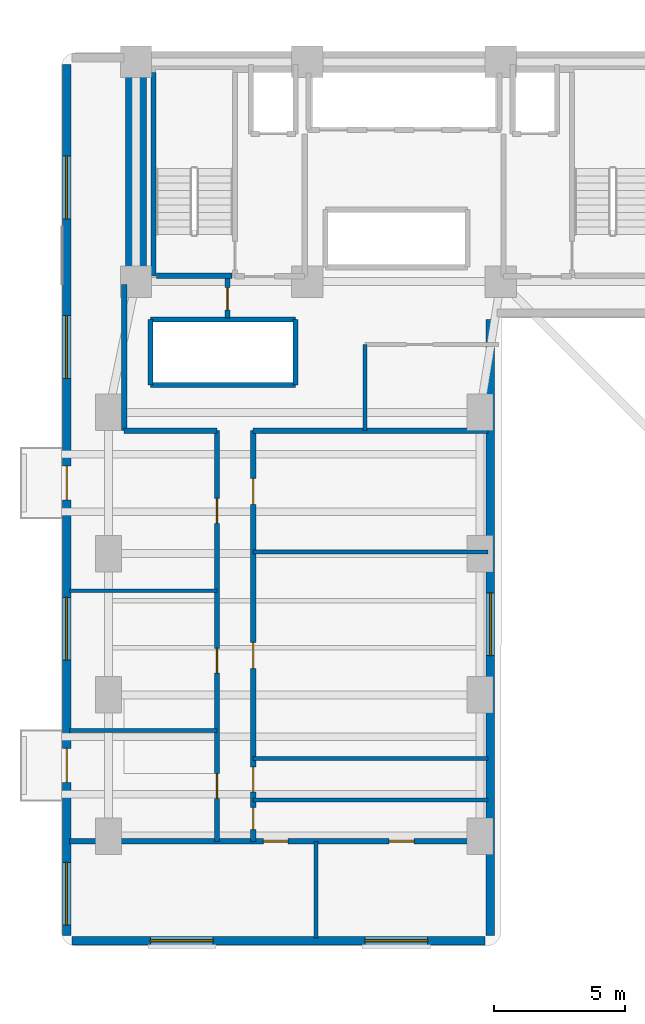
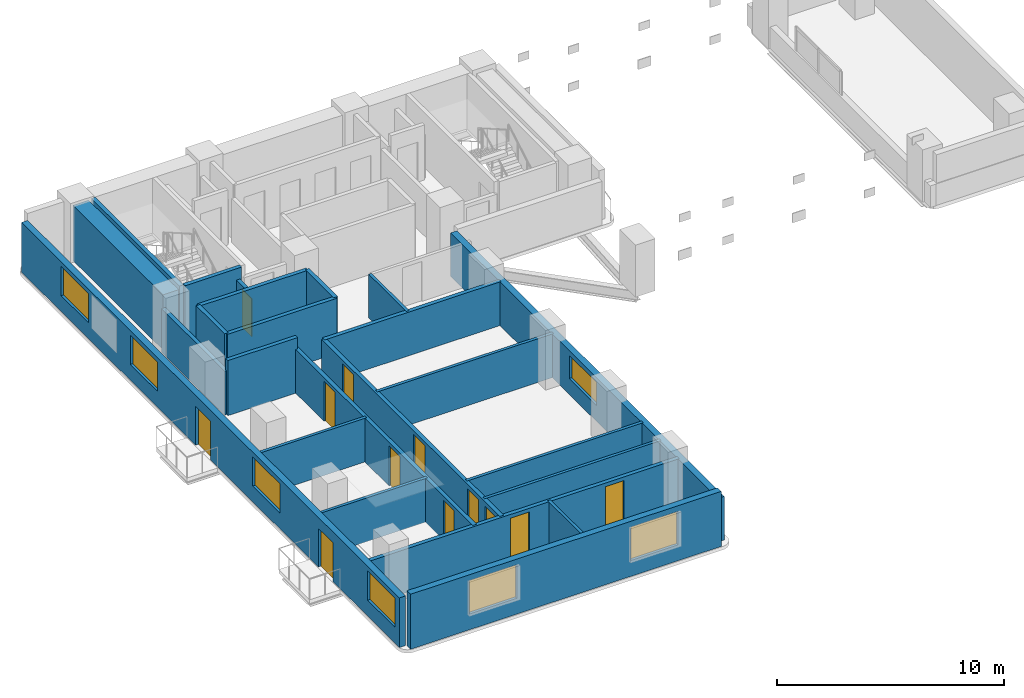
# One storey, part 8 of 14: 24 walls, 12 doors, 7 windows, 19 openings.
"""IFC4 building model written with IfcOpenShell, lengths in metres."""

from ifc_helpers import new_model, si_unit, direction, frame, frame_2d, origin, place, context, subcontext, project, spatial, rectangle, extrude, material, layer, layer_set, type_object, element, fill, save


model = new_model("IFC4")

# Units and contexts
model_context = context("Model", 3, precision=1e-05, world=origin(), true_north=direction((0.0, 1.0)))
body_context = subcontext(model_context, "Body", "Model", "MODEL_VIEW")
ifc_project = project(units=[si_unit("LENGTHUNIT", "METRE"), si_unit("AREAUNIT", "SQUARE_METRE"), si_unit("VOLUMEUNIT", "CUBIC_METRE"), si_unit("PLANEANGLEUNIT", "RADIAN"), si_unit("MASSUNIT", "GRAM", prefix="KILO")], contexts=[model_context])

# Site, building, storey
site_placement = place(None, origin())
site = spatial("IfcSite", under=ifc_project, at=site_placement, CompositionType="ELEMENT")
building_placement = place(site_placement, origin())
building = spatial("IfcBuilding", under=site, at=building_placement, Name="Kuzgunbayir Cultural Tower", CompositionType="ELEMENT")
storey_placement = place(building_placement, frame((0.0, 0.0, 36.60009765625)))
storey = spatial("IfcBuildingStorey", under=building, at=storey_placement, Name="L09", CompositionType="ELEMENT", Elevation=36.60009765625)

# Wall
ifc_material_1 = material(Name="Concrete C60/75", Category="concrete")
ifc_layer_1 = layer(ifc_material_1, 0.800048828125)
ifc_layer_set_1 = layer_set([ifc_layer_1], Name="Concrete C60/75")
wall_type_1 = type_object("IfcWallType", Name="WAL-CORE-800", PredefinedType="SHEAR", material=ifc_layer_set_1)
wall_1_placement = place(storey_placement, frame((6.449951171875, 33.800048828125, 0.0), z_axis=(0.0, 0.0, 1.0), x_axis=(0.0, 1.0, 0.0)))
element("IfcWall", 1, at=wall_1_placement, inside=storey, type_object=wall_type_1, Name="L09 T1 Core West Shear Wall", PredefinedType="SHEAR", context=body_context, shape_type="SweptSolid", body=[
    extrude(rectangle(XDim=7.949951171875, YDim=0.800048828125, at=frame_2d((3.97509765625, 0.0))), origin(), (0.0, 0.0, 1.0), 2.9599609375),
])

# Wall, openings, windows
ifc_material_2 = material(Name="Travertine Buff Ashlar", Category="masonry")
ifc_layer_2 = layer(ifc_material_2, 0.320068359375)
ifc_layer_set_2 = layer_set([ifc_layer_2], Name="Travertine Buff Ashlar")
wall_type_2 = type_object("IfcWallType", Name="WAL-EXT-STONE-320", PredefinedType="STANDARD", material=ifc_layer_set_2)
wall_2_placement = place(storey_placement, frame((4.0, 8.60009765625, 0.0), z_axis=(0.0, 0.0, 1.0), x_axis=(1.0, 0.0, 0.0)))
wall_2 = element("IfcWall", 2, at=wall_2_placement, inside=storey, type_object=wall_type_2, Name="L09 Wing A South Limestone Wall", PredefinedType="STANDARD", context=body_context, shape_type="SweptSolid", body=[
    extrude(rectangle(XDim=15.800048828125, YDim=0.320068359375, at=frame_2d((7.89990234375, 0.0))), origin(), (0.0, 0.0, 1.0), 2.9599609375),
])
opening_1_placement = place(wall_2_placement, frame((3.0, 0.0, 0.85009765625)))
opening_1 = element("IfcOpeningElement", 3, at=opening_1_placement, cuts=wall_2, Name="Opening WO-24", PredefinedType="OPENING", context=body_context, shape_type="SweptSolid", body=[
    extrude(rectangle(XDim=2.39990234375, YDim=1.800048828125, at=frame_2d((1.199951171875, 0.89990234375))), frame((0.0, 0.169921875, 0.0), z_axis=(0.0, -1.0, 0.0), x_axis=(1.0, 0.0, 0.0)), (0.0, 0.0, 1.0), 0.340087890625),
])
opening_2_placement = place(wall_2_placement, frame((11.199951171875, 0.0, 0.85009765625)))
opening_2 = element("IfcOpeningElement", 4, at=opening_2_placement, cuts=wall_2, Name="Opening WO-24", PredefinedType="OPENING", context=body_context, shape_type="SweptSolid", body=[
    extrude(rectangle(XDim=2.39990234375, YDim=1.800048828125, at=frame_2d((1.199951171875, 0.89990234375))), frame((0.0, 0.169921875, 0.0), z_axis=(0.0, -1.0, 0.0), x_axis=(1.0, 0.0, 0.0)), (0.0, 0.0, 1.0), 0.340087890625),
])
ifc_material_3 = material(Name="Solar-Control Triple Glazing", Category="glass")
window_type = type_object("IfcWindowType", Name="WIN-OFFICE-24", PartitioningType="SINGLE_PANEL", PredefinedType="WINDOW", material=ifc_material_3)
window_1_placement = place(opening_1_placement, origin())
window_1 = element("IfcWindow", 5, at=window_1_placement, inside=storey, type_object=window_type, Name="L09 WAS Facade Window 6", OverallHeight=1.800048828125, OverallWidth=2.39990234375, PartitioningType="SINGLE_PANEL", PredefinedType="WINDOW", context=body_context, shape_type="SweptSolid", body=[
    extrude(rectangle(XDim=2.39990234375, YDim=1.800048828125, at=frame_2d((1.199951171875, 0.89990234375))), frame((0.0, 0.030029296875, 0.0), z_axis=(0.0, -1.0, 0.0), x_axis=(1.0, 0.0, 0.0)), (0.0, 0.0, 1.0), 0.06005859375),
])
fill(opening_1, window_1)
window_2_placement = place(opening_2_placement, origin())
window_2 = element("IfcWindow", 6, at=window_2_placement, inside=storey, type_object=window_type, Name="L09 WAS Facade Window 7", OverallHeight=1.800048828125, OverallWidth=2.39990234375, PartitioningType="SINGLE_PANEL", PredefinedType="WINDOW", context=body_context, shape_type="SweptSolid", body=[
    extrude(rectangle(XDim=2.39990234375, YDim=1.800048828125, at=frame_2d((1.199951171875, 0.89990234375))), frame((0.0, 0.030029296875, 0.0), z_axis=(0.0, -1.0, 0.0), x_axis=(1.0, 0.0, 0.0)), (0.0, 0.0, 1.0), 0.06005859375),
])
fill(opening_2, window_2)

# Wall, openings, doors, windows
wall_3_placement = place(storey_placement, frame((3.800048828125, 42.10009765625, 0.0), z_axis=(0.0, 0.0, 1.0), x_axis=(0.0, -1.0, 0.0)))
wall_3 = element("IfcWall", 7, at=wall_3_placement, inside=storey, type_object=wall_type_2, Name="L09 Wing A West Limestone Wall", PredefinedType="STANDARD", context=body_context, shape_type="SweptSolid", body=[
    extrude(rectangle(XDim=33.300048828125, YDim=0.320068359375, at=frame_2d((16.64990234375, 0.0))), origin(), (0.0, 0.0, 1.0), 2.669921875),
])
opening_3_placement = place(wall_3_placement, frame((26.14990234375, 0.0, 0.0)))
opening_3 = element("IfcOpeningElement", 8, at=opening_3_placement, cuts=wall_3, Name="Opening BD-13", PredefinedType="OPENING", context=body_context, shape_type="SweptSolid", body=[
    extrude(rectangle(XDim=1.300048828125, YDim=2.080078125, at=frame_2d((0.64990234375, 1.0400390625))), frame((0.0, 0.169921875, 0.0), z_axis=(0.0, -1.0, 0.0), x_axis=(1.0, 0.0, 0.0)), (0.0, 0.0, 1.0), 0.340087890625),
])
opening_4_placement = place(wall_3_placement, frame((15.35009765625, 0.0, 0.0)))
opening_4 = element("IfcOpeningElement", 9, at=opening_4_placement, cuts=wall_3, Name="Opening BD-13", PredefinedType="OPENING", context=body_context, shape_type="SweptSolid", body=[
    extrude(rectangle(XDim=1.300048828125, YDim=2.080078125, at=frame_2d((0.64990234375, 1.0400390625))), frame((0.0, 0.169921875, 0.0), z_axis=(0.0, -1.0, 0.0), x_axis=(1.0, 0.0, 0.0)), (0.0, 0.0, 1.0), 0.340087890625),
])
opening_5_placement = place(wall_3_placement, frame((30.5, 0.0, 0.85009765625)))
opening_5 = element("IfcOpeningElement", 10, at=opening_5_placement, cuts=wall_3, Name="Opening WO-24", PredefinedType="OPENING", context=body_context, shape_type="SweptSolid", body=[
    extrude(rectangle(XDim=2.39990234375, YDim=1.570068359375, at=frame_2d((1.199951171875, 0.78515625))), frame((0.0, 0.169921875, 0.0), z_axis=(0.0, -1.0, 0.0), x_axis=(1.0, 0.0, 0.0)), (0.0, 0.0, 1.0), 0.340087890625),
])
opening_6_placement = place(wall_3_placement, frame((20.3701171875, 0.0, 0.85009765625)))
opening_6 = element("IfcOpeningElement", 11, at=opening_6_placement, cuts=wall_3, Name="Opening WO-24", PredefinedType="OPENING", context=body_context, shape_type="SweptSolid", body=[
    extrude(rectangle(XDim=2.39990234375, YDim=1.570068359375, at=frame_2d((1.199951171875, 0.78515625))), frame((0.0, 0.169921875, 0.0), z_axis=(0.0, -1.0, 0.0), x_axis=(1.0, 0.0, 0.0)), (0.0, 0.0, 1.0), 0.340087890625),
])
opening_7_placement = place(wall_3_placement, frame((9.60009765625, 0.0, 0.85009765625)))
opening_7 = element("IfcOpeningElement", 12, at=opening_7_placement, cuts=wall_3, Name="Opening WO-24", PredefinedType="OPENING", context=body_context, shape_type="SweptSolid", body=[
    extrude(rectangle(XDim=2.39990234375, YDim=1.570068359375, at=frame_2d((1.199951171875, 0.78515625))), frame((0.0, 0.169921875, 0.0), z_axis=(0.0, -1.0, 0.0), x_axis=(1.0, 0.0, 0.0)), (0.0, 0.0, 1.0), 0.340087890625),
])
opening_8_placement = place(wall_3_placement, frame((3.5, 0.0, 0.85009765625)))
opening_8 = element("IfcOpeningElement", 13, at=opening_8_placement, cuts=wall_3, Name="Opening WO-24", PredefinedType="OPENING", context=body_context, shape_type="SweptSolid", body=[
    extrude(rectangle(XDim=2.39990234375, YDim=1.570068359375, at=frame_2d((1.199951171875, 0.78515625))), frame((0.0, 0.169921875, 0.0), z_axis=(0.0, -1.0, 0.0), x_axis=(1.0, 0.0, 0.0)), (0.0, 0.0, 1.0), 0.340087890625),
])
ifc_material_4 = material(Name="Thermally Broken Glazed Aluminium", Category="aluminium")
door_type_1 = type_object("IfcDoorType", Name="DR-BALCONY-135", OperationType="SLIDING_TO_LEFT", PredefinedType="DOOR", material=ifc_material_4)
door_1_placement = place(opening_3_placement, origin())
door_1 = element("IfcDoor", 14, at=door_1_placement, inside=storey, type_object=door_type_1, Name="L09 West Balcony Sliding Door BAL-L09-WA1", OperationType="SLIDING_TO_LEFT", OverallHeight=2.080078125, OverallWidth=1.300048828125, PredefinedType="DOOR", context=body_context, shape_type="SweptSolid", body=[
    extrude(rectangle(XDim=1.300048828125, YDim=2.080078125, at=frame_2d((0.64990234375, 1.0400390625))), frame((0.0, 0.02490234375, 0.0), z_axis=(0.0, -1.0, 0.0), x_axis=(1.0, 0.0, 0.0)), (0.0, 0.0, 1.0), 0.050048828125),
])
fill(opening_3, door_1)
door_2_placement = place(opening_4_placement, origin())
door_2 = element("IfcDoor", 15, at=door_2_placement, inside=storey, type_object=door_type_1, Name="L09 West Balcony Sliding Door BAL-L09-WA3", OperationType="SLIDING_TO_LEFT", OverallHeight=2.080078125, OverallWidth=1.300048828125, PredefinedType="DOOR", context=body_context, shape_type="SweptSolid", body=[
    extrude(rectangle(XDim=1.300048828125, YDim=2.080078125, at=frame_2d((0.64990234375, 1.0400390625))), frame((0.0, 0.02490234375, 0.0), z_axis=(0.0, -1.0, 0.0), x_axis=(1.0, 0.0, 0.0)), (0.0, 0.0, 1.0), 0.050048828125),
])
fill(opening_4, door_2)
window_3_placement = place(opening_5_placement, origin())
window_3 = element("IfcWindow", 16, at=window_3_placement, inside=storey, type_object=window_type, Name="L09 WAW Facade Window 1", OverallHeight=1.570068359375, OverallWidth=2.39990234375, PartitioningType="SINGLE_PANEL", PredefinedType="WINDOW", context=body_context, shape_type="SweptSolid", body=[
    extrude(rectangle(XDim=2.39990234375, YDim=1.570068359375, at=frame_2d((1.199951171875, 0.78515625))), frame((0.0, 0.030029296875, 0.0), z_axis=(0.0, -1.0, 0.0), x_axis=(1.0, 0.0, 0.0)), (0.0, 0.0, 1.0), 0.06005859375),
])
fill(opening_5, window_3)
window_4_placement = place(opening_6_placement, origin())
window_4 = element("IfcWindow", 17, at=window_4_placement, inside=storey, type_object=window_type, Name="L09 WAW Facade Window 2", OverallHeight=1.570068359375, OverallWidth=2.39990234375, PartitioningType="SINGLE_PANEL", PredefinedType="WINDOW", context=body_context, shape_type="SweptSolid", body=[
    extrude(rectangle(XDim=2.39990234375, YDim=1.570068359375, at=frame_2d((1.199951171875, 0.78515625))), frame((0.0, 0.030029296875, 0.0), z_axis=(0.0, -1.0, 0.0), x_axis=(1.0, 0.0, 0.0)), (0.0, 0.0, 1.0), 0.06005859375),
])
fill(opening_6, window_4)
window_5_placement = place(opening_7_placement, origin())
window_5 = element("IfcWindow", 18, at=window_5_placement, inside=storey, type_object=window_type, Name="L09 WAW Facade Window 3", OverallHeight=1.570068359375, OverallWidth=2.39990234375, PartitioningType="SINGLE_PANEL", PredefinedType="WINDOW", context=body_context, shape_type="SweptSolid", body=[
    extrude(rectangle(XDim=2.39990234375, YDim=1.570068359375, at=frame_2d((1.199951171875, 0.78515625))), frame((0.0, 0.030029296875, 0.0), z_axis=(0.0, -1.0, 0.0), x_axis=(1.0, 0.0, 0.0)), (0.0, 0.0, 1.0), 0.06005859375),
])
fill(opening_7, window_5)
window_6_placement = place(opening_8_placement, origin())
window_6 = element("IfcWindow", 19, at=window_6_placement, inside=storey, type_object=window_type, Name="L09 WAW Facade Window 4", OverallHeight=1.570068359375, OverallWidth=2.39990234375, PartitioningType="SINGLE_PANEL", PredefinedType="WINDOW", context=body_context, shape_type="SweptSolid", body=[
    extrude(rectangle(XDim=2.39990234375, YDim=1.570068359375, at=frame_2d((1.199951171875, 0.78515625))), frame((0.0, 0.030029296875, 0.0), z_axis=(0.0, -1.0, 0.0), x_axis=(1.0, 0.0, 0.0)), (0.0, 0.0, 1.0), 0.06005859375),
])
fill(opening_8, window_6)

# Wall, opening, window
wall_4_placement = place(storey_placement, frame((20.0, 8.800048828125, 0.0), z_axis=(0.0, 0.0, 1.0), x_axis=(0.0, 1.0, 0.0)))
wall_4 = element("IfcWall", 20, at=wall_4_placement, inside=storey, type_object=wall_type_2, Name="L09 Wing A East Limestone Wall", PredefinedType="STANDARD", context=body_context, shape_type="SweptSolid", body=[
    extrude(rectangle(XDim=23.550048828125, YDim=0.320068359375, at=frame_2d((11.77490234375, 0.0))), origin(), (0.0, 0.0, 1.0), 2.349853515625),
])
opening_9_placement = place(wall_4_placement, frame((10.699951171875, 0.0, 0.85009765625)))
opening_9 = element("IfcOpeningElement", 21, at=opening_9_placement, cuts=wall_4, Name="Opening WO-24", PredefinedType="OPENING", context=body_context, shape_type="SweptSolid", body=[
    extrude(rectangle(XDim=2.39990234375, YDim=1.25, at=frame_2d((1.199951171875, 0.625))), frame((0.0, 0.169921875, 0.0), z_axis=(0.0, -1.0, 0.0), x_axis=(1.0, 0.0, 0.0)), (0.0, 0.0, 1.0), 0.340087890625),
])
window_7_placement = place(opening_9_placement, origin())
window_7 = element("IfcWindow", 22, at=window_7_placement, inside=storey, type_object=window_type, Name="L09 WAE Facade Window 5", OverallHeight=1.25, OverallWidth=2.39990234375, PartitioningType="SINGLE_PANEL", PredefinedType="WINDOW", context=body_context, shape_type="SweptSolid", body=[
    extrude(rectangle(XDim=2.39990234375, YDim=1.25, at=frame_2d((1.199951171875, 0.625))), frame((0.0, 0.030029296875, 0.0), z_axis=(0.0, -1.0, 0.0), x_axis=(1.0, 0.0, 0.0)), (0.0, 0.0, 1.0), 0.06005859375),
])
fill(opening_9, window_7)

# Walls
ifc_material_5 = material(Name="Acoustic Double-Stud Drywall", Category="gypsum")
ifc_layer_3 = layer(ifc_material_5, 0.14990234375)
ifc_layer_set_3 = layer_set([ifc_layer_3], Name="Acoustic Double-Stud Drywall")
wall_type_3 = type_object("IfcWallType", Name="WAL-PART-ACOUSTIC-150", PredefinedType="PARTITIONING", material=ifc_layer_set_3)
wall_5_placement = place(storey_placement, frame((15.199951171875, 28.10009765625, 0.0), z_axis=(0.0, 0.0, 1.0), x_axis=(0.0, 1.0, 0.0)))
element("IfcWall", 23, at=wall_5_placement, inside=storey, type_object=wall_type_3, Name="L09 Central Sky Salon West Wall", PredefinedType="PARTITIONING", context=body_context, shape_type="SweptSolid", body=[
    extrude(rectangle(XDim=3.2998046875, YDim=0.14990234375, at=frame_2d((1.64990234375, 0.0))), origin(), (0.0, 0.0, 1.0), 2.349853515625),
])
for number, where, z_axis, x_axis, name in (
    (24, (3.89990234375, 16.639892578125, 0.0), (0.0, 0.0, 1.0), (1.0, 0.0, 0.0), "L09 West Suite Partition 1"),
    (25, (3.89990234375, 21.97998046875, 0.0), (0.0, 0.0, 1.0), (1.0, 0.0, 0.0), "L09 West Suite Partition 2"),
):
    element("IfcWall", number, at=place(storey_placement, frame(where, z_axis=z_axis, x_axis=x_axis)), inside=storey, type_object=wall_type_3, Name=name, PredefinedType="PARTITIONING", context=body_context, shape_type="SweptSolid", body=[
        extrude(rectangle(XDim=5.650146484375, YDim=0.14990234375, at=frame_2d((2.8251953125, 0.0))), origin(), (0.0, 0.0, 1.0), 2.349853515625),
    ])
wall_6_placement = place(storey_placement, frame((13.330078125, 8.699951171875, 0.0), z_axis=(0.0, 0.0, 1.0), x_axis=(0.0, 1.0, 0.0)))
element("IfcWall", 26, at=wall_6_placement, inside=storey, type_object=wall_type_3, Name="L09 South Suite Divider 1", PredefinedType="PARTITIONING", context=body_context, shape_type="SweptSolid", body=[
    extrude(rectangle(XDim=3.699951171875, YDim=0.14990234375, at=frame_2d((1.85009765625, 0.0))), origin(), (0.0, 0.0, 1.0), 2.349853515625),
])
wall_7_placement = place(storey_placement, frame((10.929931640625, 23.4599609375, 0.0), z_axis=(0.0, 0.0, 1.0), x_axis=(1.0, 0.0, 0.0)))
element("IfcWall", 27, at=wall_7_placement, inside=storey, type_object=wall_type_3, Name="L09 East Studio Divider 1", PredefinedType="PARTITIONING", context=body_context, shape_type="SweptSolid", body=[
    extrude(rectangle(XDim=8.969970703125, YDim=0.14990234375, at=frame_2d((4.48486328125, 0.0))), origin(), (0.0, 0.0, 1.0), 2.349853515625),
])

# Wall, opening, door
ifc_material_6 = material(Name="Aerated Concrete Blockwork", Category="masonry")
ifc_layer_4 = layer(ifc_material_6, 0.199951171875)
ifc_layer_set_4 = layer_set([ifc_layer_4], Name="Aerated Concrete Blockwork")
wall_type_4 = type_object("IfcWallType", Name="WAL-PART-FIRE-200", PredefinedType="PARTITIONING", material=ifc_layer_set_4)
wall_8_placement = place(storey_placement, frame((9.949951171875, 32.39990234375, 0.0), z_axis=(0.0, 0.0, 1.0), x_axis=(0.0, 1.0, 0.0)))
wall_8 = element("IfcWall", 28, at=wall_8_placement, inside=storey, type_object=wall_type_4, Name="L09 West Core Service Closet Wall", PredefinedType="PARTITIONING", context=body_context, shape_type="SweptSolid", body=[
    extrude(rectangle(XDim=1.52001953125, YDim=0.199951171875, at=frame_2d((0.760009765625, 0.0))), origin(), (0.0, 0.0, 1.0), 2.349853515625),
])
opening_10_placement = place(wall_8_placement, frame((0.320068359375, 0.0, 0.0)))
opening_10 = element("IfcOpeningElement", 29, at=opening_10_placement, cuts=wall_8, Name="Opening DR-RSR-60", PredefinedType="OPENING", context=body_context, shape_type="SweptSolid", body=[
    extrude(rectangle(XDim=0.85009765625, YDim=2.050048828125, at=frame_2d((0.425048828125, 1.02490234375))), frame((0.0, 0.10986328125, 0.0), z_axis=(0.0, -1.0, 0.0), x_axis=(1.0, 0.0, 0.0)), (0.0, 0.0, 1.0), 0.219970703125),
])
ifc_material_7 = material(Name="Steel Access Leaf", Category="steel")
door_type_2 = type_object("IfcDoorType", Name="DR-RISER-60", OperationType="NOTDEFINED", PredefinedType="DOOR", material=ifc_material_7)
door_3_placement = place(opening_10_placement, origin())
door_3 = element("IfcDoor", 30, at=door_3_placement, inside=storey, type_object=door_type_2, Name="L09 Cleaner Utility Store Door", OperationType="SINGLE_SWING_LEFT", OverallHeight=2.050048828125, OverallWidth=0.85009765625, PredefinedType="DOOR", context=body_context, shape_type="SweptSolid", body=[
    extrude(rectangle(XDim=0.85009765625, YDim=2.050048828125, at=frame_2d((0.425048828125, 1.02490234375))), frame((0.0, 0.02490234375, 0.0), z_axis=(0.0, -1.0, 0.0), x_axis=(1.0, 0.0, 0.0)), (0.0, 0.0, 1.0), 0.050048828125),
])
fill(opening_10, door_3)

# Wall, openings, doors
wall_9_placement = place(storey_placement, frame((9.550048828125, 12.39990234375, 0.0), z_axis=(0.0, 0.0, 1.0), x_axis=(0.0, 1.0, 0.0)))
wall_9 = element("IfcWall", 31, at=wall_9_placement, inside=storey, type_object=wall_type_4, Name="L09 Wing A West Corridor Wall", PredefinedType="PARTITIONING", context=body_context, shape_type="SweptSolid", body=[
    extrude(rectangle(XDim=15.7001953125, YDim=0.199951171875, at=frame_2d((7.85009765625, 0.0))), origin(), (0.0, 0.0, 1.0), 2.349853515625),
])
opening_11_placement = place(wall_9_placement, frame((1.639892578125, 0.0, 0.0)))
opening_11 = element("IfcOpeningElement", 32, at=opening_11_placement, cuts=wall_9, Name="Opening DI-90", PredefinedType="OPENING", context=body_context, shape_type="SweptSolid", body=[
    extrude(rectangle(XDim=0.949951171875, YDim=2.14990234375, at=frame_2d((0.47509765625, 1.074951171875))), frame((0.0, 0.10986328125, 0.0), z_axis=(0.0, -1.0, 0.0), x_axis=(1.0, 0.0, 0.0)), (0.0, 0.0, 1.0), 0.219970703125),
])
opening_12_placement = place(wall_9_placement, frame((6.429931640625, 0.0, 0.0)))
opening_12 = element("IfcOpeningElement", 33, at=opening_12_placement, cuts=wall_9, Name="Opening DI-90", PredefinedType="OPENING", context=body_context, shape_type="SweptSolid", body=[
    extrude(rectangle(XDim=0.949951171875, YDim=2.14990234375, at=frame_2d((0.47509765625, 1.074951171875))), frame((0.0, 0.10986328125, 0.0), z_axis=(0.0, -1.0, 0.0), x_axis=(1.0, 0.0, 0.0)), (0.0, 0.0, 1.0), 0.219970703125),
])
opening_13_placement = place(wall_9_placement, frame((12.159912109375, 0.0, 0.0)))
opening_13 = element("IfcOpeningElement", 34, at=opening_13_placement, cuts=wall_9, Name="Opening DI-90", PredefinedType="OPENING", context=body_context, shape_type="SweptSolid", body=[
    extrude(rectangle(XDim=0.949951171875, YDim=2.14990234375, at=frame_2d((0.47509765625, 1.074951171875))), frame((0.0, 0.10986328125, 0.0), z_axis=(0.0, -1.0, 0.0), x_axis=(1.0, 0.0, 0.0)), (0.0, 0.0, 1.0), 0.219970703125),
])
ifc_material_8 = material(Name="Veneered Oak Single Leaf", Category="wood")
door_type_3 = type_object("IfcDoorType", Name="DR-INT-90", OperationType="NOTDEFINED", PredefinedType="DOOR", material=ifc_material_8)
door_4_placement = place(opening_11_placement, origin())
door_4 = element("IfcDoor", 35, at=door_4_placement, inside=storey, type_object=door_type_3, Name="L09 Art Publication Salon W1 Door", OperationType="SINGLE_SWING_LEFT", OverallHeight=2.14990234375, OverallWidth=0.949951171875, PredefinedType="DOOR", context=body_context, shape_type="SweptSolid", body=[
    extrude(rectangle(XDim=0.949951171875, YDim=2.14990234375, at=frame_2d((0.47509765625, 1.074951171875))), frame((0.0, 0.02490234375, 0.0), z_axis=(0.0, -1.0, 0.0), x_axis=(1.0, 0.0, 0.0)), (0.0, 0.0, 1.0), 0.050048828125),
])
fill(opening_11, door_4)
door_5_placement = place(opening_12_placement, origin())
door_5 = element("IfcDoor", 36, at=door_5_placement, inside=storey, type_object=door_type_3, Name="L09 Art Publication Salon W2 Door", OperationType="SINGLE_SWING_RIGHT", OverallHeight=2.14990234375, OverallWidth=0.949951171875, PredefinedType="DOOR", context=body_context, shape_type="SweptSolid", body=[
    extrude(rectangle(XDim=0.949951171875, YDim=2.14990234375, at=frame_2d((0.47509765625, 1.074951171875))), frame((0.0, 0.02490234375, 0.0), z_axis=(0.0, -1.0, 0.0), x_axis=(1.0, 0.0, 0.0)), (0.0, 0.0, 1.0), 0.050048828125),
])
fill(opening_12, door_5)
door_6_placement = place(opening_13_placement, origin())
door_6 = element("IfcDoor", 37, at=door_6_placement, inside=storey, type_object=door_type_3, Name="L09 Fellows Reading Lounge W3 Door", OperationType="SINGLE_SWING_LEFT", OverallHeight=2.14990234375, OverallWidth=0.949951171875, PredefinedType="DOOR", context=body_context, shape_type="SweptSolid", body=[
    extrude(rectangle(XDim=0.949951171875, YDim=2.14990234375, at=frame_2d((0.47509765625, 1.074951171875))), frame((0.0, 0.02490234375, 0.0), z_axis=(0.0, -1.0, 0.0), x_axis=(1.0, 0.0, 0.0)), (0.0, 0.0, 1.0), 0.050048828125),
])
fill(opening_13, door_6)

wall_10_placement = place(storey_placement, frame((10.929931640625, 12.39990234375, 0.0), z_axis=(0.0, 0.0, 1.0), x_axis=(0.0, 1.0, 0.0)))
wall_10 = element("IfcWall", 38, at=wall_10_placement, inside=storey, type_object=wall_type_4, Name="L09 Wing A East Corridor Wall", PredefinedType="PARTITIONING", context=body_context, shape_type="SweptSolid", body=[
    extrude(rectangle(XDim=15.7001953125, YDim=0.199951171875, at=frame_2d((7.85009765625, 0.0))), origin(), (0.0, 0.0, 1.0), 2.349853515625),
])
opening_14_placement = place(wall_10_placement, frame((0.449951171875, 0.0, 0.0)))
opening_14 = element("IfcOpeningElement", 39, at=opening_14_placement, cuts=wall_10, Name="Opening DW-85", PredefinedType="OPENING", context=body_context, shape_type="SweptSolid", body=[
    extrude(rectangle(XDim=0.85009765625, YDim=2.10009765625, at=frame_2d((0.425048828125, 1.050048828125))), frame((0.0, 0.10986328125, 0.0), z_axis=(0.0, -1.0, 0.0), x_axis=(1.0, 0.0, 0.0)), (0.0, 0.0, 1.0), 0.219970703125),
])
opening_15_placement = place(wall_10_placement, frame((1.889892578125, 0.0, 0.0)))
opening_15 = element("IfcOpeningElement", 40, at=opening_15_placement, cuts=wall_10, Name="Opening DW-95", PredefinedType="OPENING", context=body_context, shape_type="SweptSolid", body=[
    extrude(rectangle(XDim=0.949951171875, YDim=2.10009765625, at=frame_2d((0.47509765625, 1.050048828125))), frame((0.0, 0.10986328125, 0.0), z_axis=(0.0, -1.0, 0.0), x_axis=(1.0, 0.0, 0.0)), (0.0, 0.0, 1.0), 0.219970703125),
])
opening_16_placement = place(wall_10_placement, frame((6.610107421875, 0.0, 0.0)))
opening_16 = element("IfcOpeningElement", 41, at=opening_16_placement, cuts=wall_10, Name="Opening DI-100", PredefinedType="OPENING", context=body_context, shape_type="SweptSolid", body=[
    extrude(rectangle(XDim=1.0, YDim=2.14990234375, at=frame_2d((0.5, 1.074951171875))), frame((0.0, 0.10986328125, 0.0), z_axis=(0.0, -1.0, 0.0), x_axis=(1.0, 0.0, 0.0)), (0.0, 0.0, 1.0), 0.219970703125),
])
opening_17_placement = place(wall_10_placement, frame((12.8798828125, 0.0, 0.0)))
opening_17 = element("IfcOpeningElement", 42, at=opening_17_placement, cuts=wall_10, Name="Opening DI-100", PredefinedType="OPENING", context=body_context, shape_type="SweptSolid", body=[
    extrude(rectangle(XDim=1.0, YDim=2.14990234375, at=frame_2d((0.5, 1.074951171875))), frame((0.0, 0.10986328125, 0.0), z_axis=(0.0, -1.0, 0.0), x_axis=(1.0, 0.0, 0.0)), (0.0, 0.0, 1.0), 0.219970703125),
])
door_type_4 = type_object("IfcDoorType", Name="DR-INT-100", OperationType="NOTDEFINED", PredefinedType="DOOR", material=ifc_material_8)
door_7_placement = place(opening_16_placement, origin())
door_7 = element("IfcDoor", 43, at=door_7_placement, inside=storey, type_object=door_type_4, Name="L09 East Culinary Tasting Pantry 1 Door", OperationType="SINGLE_SWING_RIGHT", OverallHeight=2.14990234375, OverallWidth=1.0, PredefinedType="DOOR", context=body_context, shape_type="SweptSolid", body=[
    extrude(rectangle(XDim=1.0, YDim=2.14990234375, at=frame_2d((0.5, 1.074951171875))), frame((0.0, 0.02490234375, 0.0), z_axis=(0.0, -1.0, 0.0), x_axis=(1.0, 0.0, 0.0)), (0.0, 0.0, 1.0), 0.050048828125),
])
fill(opening_16, door_7)
door_8_placement = place(opening_17_placement, origin())
door_8 = element("IfcDoor", 44, at=door_8_placement, inside=storey, type_object=door_type_4, Name="L09 East Fellows Reading Lounge 2 Door", OperationType="SINGLE_SWING_LEFT", OverallHeight=2.14990234375, OverallWidth=1.0, PredefinedType="DOOR", context=body_context, shape_type="SweptSolid", body=[
    extrude(rectangle(XDim=1.0, YDim=2.14990234375, at=frame_2d((0.5, 1.074951171875))), frame((0.0, 0.02490234375, 0.0), z_axis=(0.0, -1.0, 0.0), x_axis=(1.0, 0.0, 0.0)), (0.0, 0.0, 1.0), 0.050048828125),
])
fill(opening_17, door_8)
ifc_material_9 = material(Name="Laminate Moisture-Resistant Leaf", Category="wood")
door_type_5 = type_object("IfcDoorType", Name="DR-WET-85", OperationType="NOTDEFINED", PredefinedType="DOOR", material=ifc_material_9)
door_9_placement = place(opening_14_placement, origin())
door_9 = element("IfcDoor", 45, at=door_9_placement, inside=storey, type_object=door_type_5, Name="L09 Restroom Door", OperationType="SINGLE_SWING_RIGHT", OverallHeight=2.10009765625, OverallWidth=0.85009765625, PredefinedType="DOOR", context=body_context, shape_type="SweptSolid", body=[
    extrude(rectangle(XDim=0.85009765625, YDim=2.10009765625, at=frame_2d((0.425048828125, 1.050048828125))), frame((0.0, 0.02490234375, 0.0), z_axis=(0.0, -1.0, 0.0), x_axis=(1.0, 0.0, 0.0)), (0.0, 0.0, 1.0), 0.050048828125),
])
fill(opening_14, door_9)
door_type_6 = type_object("IfcDoorType", Name="DR-WET-95", OperationType="NOTDEFINED", PredefinedType="DOOR", material=ifc_material_9)
door_10_placement = place(opening_15_placement, origin())
door_10 = element("IfcDoor", 46, at=door_10_placement, inside=storey, type_object=door_type_6, Name="L09 Accessible WC Door", OperationType="SINGLE_SWING_LEFT", OverallHeight=2.10009765625, OverallWidth=0.949951171875, PredefinedType="DOOR", context=body_context, shape_type="SweptSolid", body=[
    extrude(rectangle(XDim=0.949951171875, YDim=2.10009765625, at=frame_2d((0.47509765625, 1.050048828125))), frame((0.0, 0.02490234375, 0.0), z_axis=(0.0, -1.0, 0.0), x_axis=(1.0, 0.0, 0.0)), (0.0, 0.0, 1.0), 0.050048828125),
])
fill(opening_15, door_10)

wall_11_placement = place(storey_placement, frame((3.89990234375, 12.39990234375, 0.0), z_axis=(0.0, 0.0, 1.0), x_axis=(1.0, 0.0, 0.0)))
wall_11 = element("IfcWall", 47, at=wall_11_placement, inside=storey, type_object=wall_type_4, Name="L09 South Cross Partition", PredefinedType="PARTITIONING", context=body_context, shape_type="SweptSolid", body=[
    extrude(rectangle(XDim=16.0, YDim=0.199951171875, at=frame_2d((8.0, 0.0))), origin(), (0.0, 0.0, 1.0), 2.349853515625),
])
opening_18_placement = place(wall_11_placement, frame((7.419921875, 0.0, 0.0)))
opening_18 = element("IfcOpeningElement", 48, at=opening_18_placement, cuts=wall_11, Name="Opening DI-90", PredefinedType="OPENING", context=body_context, shape_type="SweptSolid", body=[
    extrude(rectangle(XDim=0.949951171875, YDim=2.14990234375, at=frame_2d((0.47509765625, 1.074951171875))), frame((0.0, 0.10986328125, 0.0), z_axis=(0.0, -1.0, 0.0), x_axis=(1.0, 0.0, 0.0)), (0.0, 0.0, 1.0), 0.219970703125),
])
opening_19_placement = place(wall_11_placement, frame((12.22998046875, 0.0, 0.0)))
opening_19 = element("IfcOpeningElement", 49, at=opening_19_placement, cuts=wall_11, Name="Opening DI-90", PredefinedType="OPENING", context=body_context, shape_type="SweptSolid", body=[
    extrude(rectangle(XDim=0.949951171875, YDim=2.14990234375, at=frame_2d((0.47509765625, 1.074951171875))), frame((0.0, 0.10986328125, 0.0), z_axis=(0.0, -1.0, 0.0), x_axis=(1.0, 0.0, 0.0)), (0.0, 0.0, 1.0), 0.219970703125),
])
door_11_placement = place(opening_18_placement, origin())
door_11 = element("IfcDoor", 50, at=door_11_placement, inside=storey, type_object=door_type_3, Name="L09 South Suite S1 Door", OperationType="SINGLE_SWING_RIGHT", OverallHeight=2.14990234375, OverallWidth=0.949951171875, PredefinedType="DOOR", context=body_context, shape_type="SweptSolid", body=[
    extrude(rectangle(XDim=0.949951171875, YDim=2.14990234375, at=frame_2d((0.47509765625, 1.074951171875))), frame((0.0, 0.02490234375, 0.0), z_axis=(0.0, -1.0, 0.0), x_axis=(1.0, 0.0, 0.0)), (0.0, 0.0, 1.0), 0.050048828125),
])
fill(opening_18, door_11)
door_12_placement = place(opening_19_placement, origin())
door_12 = element("IfcDoor", 51, at=door_12_placement, inside=storey, type_object=door_type_3, Name="L09 South Suite S2 Door", OperationType="SINGLE_SWING_LEFT", OverallHeight=2.14990234375, OverallWidth=0.949951171875, PredefinedType="DOOR", context=body_context, shape_type="SweptSolid", body=[
    extrude(rectangle(XDim=0.949951171875, YDim=2.14990234375, at=frame_2d((0.47509765625, 1.074951171875))), frame((0.0, 0.02490234375, 0.0), z_axis=(0.0, -1.0, 0.0), x_axis=(1.0, 0.0, 0.0)), (0.0, 0.0, 1.0), 0.050048828125),
])
fill(opening_19, door_12)

# Walls
wall_12_placement = place(storey_placement, frame((6.0, 28.10009765625, 0.0), z_axis=(0.0, 0.0, 1.0), x_axis=(1.0, 0.0, 0.0)))
element("IfcWall", 52, at=wall_12_placement, inside=storey, type_object=wall_type_4, Name="L09 North West Partition", PredefinedType="PARTITIONING", context=body_context, shape_type="SweptSolid", body=[
    extrude(rectangle(XDim=3.550048828125, YDim=0.199951171875, at=frame_2d((1.77490234375, 0.0))), origin(), (0.0, 0.0, 1.0), 2.9599609375),
])
wall_13_placement = place(storey_placement, frame((6.0, 28.10009765625, 0.0), z_axis=(0.0, 0.0, 1.0), x_axis=(0.0, 1.0, 0.0)))
element("IfcWall", 53, at=wall_13_placement, inside=storey, type_object=wall_type_4, Name="L09 North West Gallery Wing Wall", PredefinedType="PARTITIONING", context=body_context, shape_type="SweptSolid", body=[
    extrude(rectangle(XDim=5.579833984375, YDim=0.199951171875, at=frame_2d((2.7900390625, 0.0))), origin(), (0.0, 0.0, 1.0), 2.349853515625),
])
wall_14_placement = place(storey_placement, frame((10.929931640625, 28.10009765625, 0.0), z_axis=(0.0, 0.0, 1.0), x_axis=(1.0, 0.0, 0.0)))
element("IfcWall", 54, at=wall_14_placement, inside=storey, type_object=wall_type_4, Name="L09 North East Partition", PredefinedType="PARTITIONING", context=body_context, shape_type="SweptSolid", body=[
    extrude(rectangle(XDim=8.969970703125, YDim=0.199951171875, at=frame_2d((4.48486328125, 0.0))), origin(), (0.0, 0.0, 1.0), 2.349853515625),
])
ifc_material_10 = material(Name="Moisture-Resistant Tile Partition", Category="gypsum")
ifc_layer_5 = layer(ifc_material_10, 0.14990234375)
ifc_layer_set_5 = layer_set([ifc_layer_5], Name="Moisture-Resistant Tile Partition")
wall_type_5 = type_object("IfcWallType", Name="WAL-PART-WET-150", PredefinedType="PARTITIONING", material=ifc_layer_set_5)
for number, where, z_axis, x_axis, name in (
    (55, (10.929931640625, 13.97998046875, 0.0), (0.0, 0.0, 1.0), (1.0, 0.0, 0.0), "L09 WC North Wall"),
    (56, (10.929931640625, 15.56005859375, 0.0), (0.0, 0.0, 1.0), (1.0, 0.0, 0.0), "L09 Accessible WC North Wall"),
):
    element("IfcWall", number, at=place(storey_placement, frame(where, z_axis=z_axis, x_axis=x_axis)), inside=storey, type_object=wall_type_5, Name=name, PredefinedType="PARTITIONING", context=body_context, shape_type="SweptSolid", body=[
        extrude(rectangle(XDim=8.969970703125, YDim=0.14990234375, at=frame_2d((4.48486328125, 0.0))), origin(), (0.0, 0.0, 1.0), 2.349853515625),
    ])
ifc_material_11 = material(Name="Concrete C40/50", Category="concrete")
ifc_layer_6 = layer(ifc_material_11, 0.199951171875)
ifc_layer_set_6 = layer_set([ifc_layer_6], Name="Concrete C40/50")
wall_type_6 = type_object("IfcWallType", Name="WAL-SHAFT-200", PredefinedType="MOVABLE", material=ifc_layer_set_6)
for number, where, z_axis, x_axis, name in (
    (57, (7.0, 29.85009765625, 0.0), (0.0, 0.0, 1.0), (1.0, 0.0, 0.0), "L09 High-Rise Lift Shaft South Wall"),
    (58, (7.0, 32.35009765625, 0.0), (0.0, 0.0, 1.0), (1.0, 0.0, 0.0), "L09 High-Rise Lift Shaft North Wall"),
):
    element("IfcWall", number, at=place(storey_placement, frame(where, z_axis=z_axis, x_axis=x_axis)), inside=storey, type_object=wall_type_6, Name=name, PredefinedType="MOVABLE", context=body_context, shape_type="SweptSolid", body=[
        extrude(rectangle(XDim=5.550048828125, YDim=0.199951171875, at=frame_2d((2.77490234375, 0.0))), origin(), (0.0, 0.0, 1.0), 2.9599609375),
    ])
for number, where, z_axis, x_axis, name in (
    (59, (7.0, 29.85009765625, 0.0), (0.0, 0.0, 1.0), (0.0, 1.0, 0.0), "L09 High-Rise Lift Shaft West Wall"),
    (60, (12.550048828125, 29.85009765625, 0.0), (0.0, 0.0, 1.0), (0.0, 1.0, 0.0), "L09 High-Rise Lift Shaft East Wall"),
):
    element("IfcWall", number, at=place(storey_placement, frame(where, z_axis=z_axis, x_axis=x_axis)), inside=storey, type_object=wall_type_6, Name=name, PredefinedType="MOVABLE", context=body_context, shape_type="SweptSolid", body=[
        extrude(rectangle(XDim=2.5, YDim=0.199951171875, at=frame_2d((1.25, 0.0))), origin(), (0.0, 0.0, 1.0), 2.9599609375),
    ])
ifc_layer_7 = layer(ifc_material_11, 0.199951171875)
ifc_layer_set_7 = layer_set([ifc_layer_7], Name="Concrete C40/50")
wall_type_7 = type_object("IfcWallType", Name="WAL-STAIR-RC-200", PredefinedType="SHEAR", material=ifc_layer_set_7)
wall_15_placement = place(storey_placement, frame((7.1201171875, 34.02001953125, 0.0), z_axis=(0.0, 0.0, 1.0), x_axis=(0.0, 1.0, 0.0)))
element("IfcWall", 61, at=wall_15_placement, inside=storey, type_object=wall_type_7, Name="L09 Stair ST-1 West Structural Wall", PredefinedType="SHEAR", context=body_context, shape_type="SweptSolid", body=[
    extrude(rectangle(XDim=7.780029296875, YDim=0.199951171875, at=frame_2d((3.89013671875, 0.0))), origin(), (0.0, 0.0, 1.0), 2.9599609375),
])
wall_16_placement = place(storey_placement, frame((7.239990234375, 34.02001953125, 0.0), z_axis=(0.0, 0.0, 1.0), x_axis=(1.0, 0.0, 0.0)))
element("IfcWall", 62, at=wall_16_placement, inside=storey, type_object=wall_type_7, Name="L09 Stair ST-1 South Structural Wall", PredefinedType="SHEAR", context=body_context, shape_type="SweptSolid", body=[
    extrude(rectangle(XDim=2.880126953125, YDim=0.199951171875, at=frame_2d((1.43994140625, 0.0))), origin(), (0.0, 0.0, 1.0), 2.9599609375),
])

save(model, "model.ifc")
